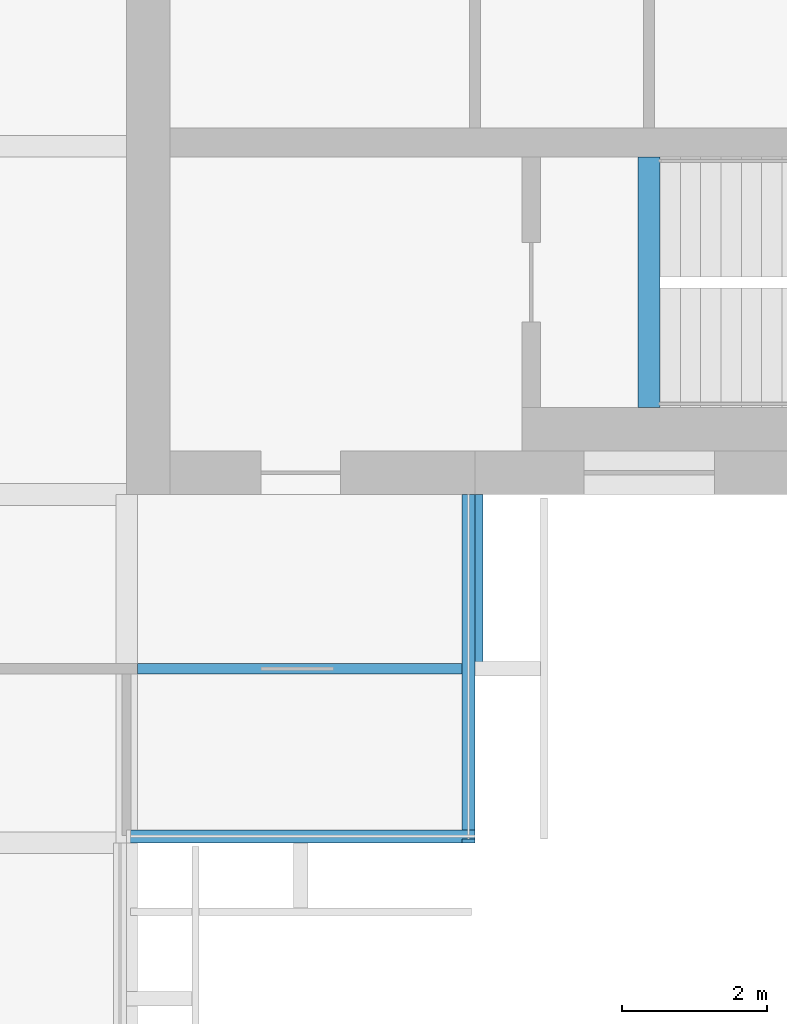
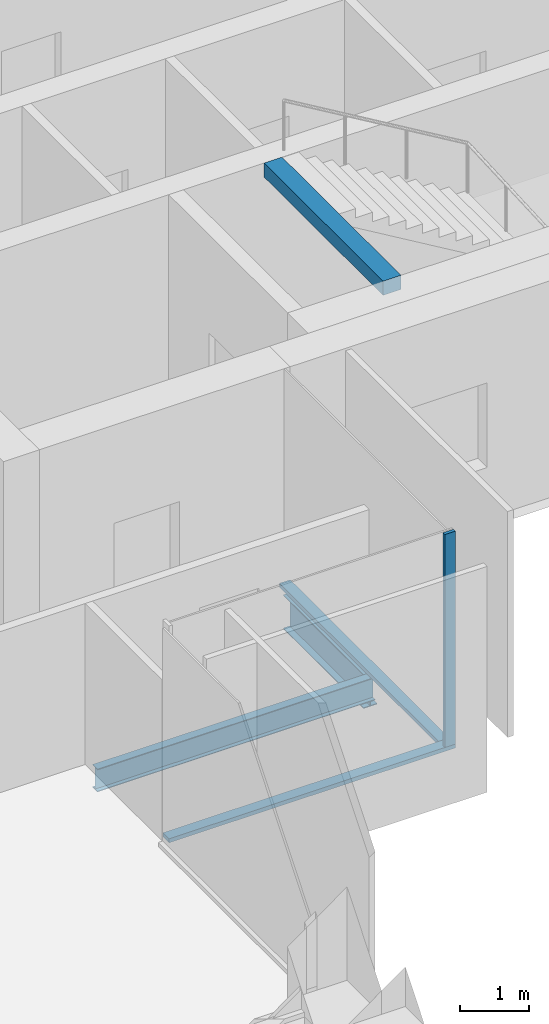
# One storey, part 4 of 13: 3 beams, 3 members, 2 elements without a shape of their own.
"""IFC4 building model written with IfcOpenShell, lengths in metres."""

from ifc_helpers import new_model, si_unit, direction, frame, origin, origin_2d, place, context, subcontext, project, spatial, rectangle, i_section, extrude, material, material_profile, profile_set, type_object, element, aggregate, save


model = new_model("IFC4")

# Units and contexts
model_context = context("Model", 3, precision=1e-05, world=origin(), true_north=direction((0.0, 1.0)))
body_context = subcontext(model_context, "Body", "Model", "MODEL_VIEW")
ifc_project = project(units=[si_unit("LENGTHUNIT", "METRE"), si_unit("AREAUNIT", "SQUARE_METRE"), si_unit("VOLUMEUNIT", "CUBIC_METRE"), si_unit("PLANEANGLEUNIT", "RADIAN"), si_unit("MASSUNIT", "GRAM", prefix="KILO")], contexts=[model_context])

# Site, building, storey
site_placement = place(None, origin())
site = spatial("IfcSite", under=ifc_project, at=site_placement, CompositionType="ELEMENT")
building_placement = place(site_placement, origin())
building = spatial("IfcBuilding", under=site, at=building_placement, Name="Baori Bourse Tower", CompositionType="ELEMENT")
storey_placement = place(building_placement, frame((0.0, 0.0, 334.300048828125)))
storey = spatial("IfcBuildingStorey", under=building, at=storey_placement, Name="L74", CompositionType="ELEMENT", Elevation=334.300048828125)

# Curtain wall, member
ifc_material_1 = material(Name="Pale anodised aluminium", Category="aluminium")
curtain_wall_type = type_object("IfcCurtainWallType", Name="CW2 Curtain wall", PredefinedType="NOTDEFINED", material=ifc_material_1)
curtain_wall_1_placement = place(storey_placement, origin())
curtain_wall_1 = element("IfcCurtainWall", 1, at=curtain_wall_1_placement, inside=storey, type_object=curtain_wall_type, Name="Curtain wall CW2 L74 14", PredefinedType="NOTDEFINED")
ifc_material_2 = material(Name="Pale anodised aluminium", Category="aluminium")
ifc_material_profile_1 = material_profile(ifc_material_2, rectangle(XDim=0.179931640625, YDim=0.054931640625, at=origin_2d()), Name="Mullion 55x180")
ifc_profile_set_1 = profile_set([ifc_material_profile_1], Name="Pale anodised aluminium")
member_type_1 = type_object("IfcMemberType", Name="CW2 Curtain wall mullion", PredefinedType="MULLION", material=ifc_profile_set_1)
member_1_placement = place(storey_placement, frame((43.110107421875, 4.827392578125, 0.070068359375), z_axis=(0.0, 0.0, 1.0), x_axis=(-1.0, 0.0, 0.0)))
member_1 = element("IfcMember", 2, at=member_1_placement, type_object=member_type_1, Name="Curtain wall CW2 mullion", PredefinedType="MULLION", context=body_context, shape_type="SweptSolid", body=[
    extrude(rectangle(XDim=0.179931640625, YDim=0.054931640625, at=origin_2d()), origin(), (0.0, 0.0, 1.0), 3.769775390625),
])

curtain_wall_2_placement = place(storey_placement, origin())
curtain_wall_2 = element("IfcCurtainWall", 3, at=curtain_wall_2_placement, inside=storey, type_object=curtain_wall_type, Name="Curtain wall CW2 L74 13", PredefinedType="NOTDEFINED")
ifc_material_3 = material(Name="Pale anodised aluminium", Category="aluminium")
ifc_material_profile_2 = material_profile(ifc_material_3, rectangle(XDim=0.179931640625, YDim=0.070068359375, at=origin_2d()), Name="Transom 70x180")
ifc_profile_set_2 = profile_set([ifc_material_profile_2], Name="Pale anodised aluminium")
member_type_2 = type_object("IfcMemberType", Name="CW2 Curtain wall transom", PredefinedType="USERDEFINED", material=ifc_profile_set_2)
member_2_placement = place(storey_placement, frame((38.39990234375, 4.889892578125, 0.034912109375), z_axis=(1.0, 0.0, 0.0), x_axis=(0.0, 1.0, 0.0)))
member_2 = element("IfcMember", 4, at=member_2_placement, type_object=member_type_2, Name="Curtain wall CW2 sill rail", ObjectType="TRANSOM", PredefinedType="USERDEFINED", context=body_context, shape_type="SweptSolid", body=[
    extrude(rectangle(XDim=0.179931640625, YDim=0.070068359375, at=origin_2d()), origin(), (0.0, 0.0, 1.0), 4.800048828125),
])
aggregate(curtain_wall_2, [member_2])

# Member
member_3_placement = place(storey_placement, frame((43.110107421875, 4.800048828125, 0.034912109375), z_axis=(0.0, 1.0, 0.0), x_axis=(-1.0, 0.0, 0.0)))
member_3 = element("IfcMember", 5, at=member_3_placement, type_object=member_type_2, Name="Curtain wall CW2 sill rail", ObjectType="TRANSOM", PredefinedType="USERDEFINED", context=body_context, shape_type="SweptSolid", body=[
    extrude(rectangle(XDim=0.179931640625, YDim=0.070068359375, at=origin_2d()), origin(), (0.0, 0.0, 1.0), 4.800048828125),
])

aggregate(curtain_wall_1, [member_3, member_1])

# Beams
ifc_material_4 = material(Name="Steel A992 Gr 50", Category="steel")
ifc_material_profile_3 = material_profile(ifc_material_4, i_section(OverallWidth=0.227783203125, OverallDepth=0.60205078125, WebThickness=0.010498046875, FlangeThickness=0.014892578125, at=origin_2d()), Name="W24x68")
ifc_profile_set_3 = profile_set([ifc_material_profile_3], Name="Steel A992 Gr 50")
beam_type_1 = type_object("IfcBeamType", Name="Core bracket W24x68", PredefinedType="BEAM", material=ifc_profile_set_3)
beam_1_placement = place(storey_placement, frame((43.199951171875, 7.270263671875, -0.4609375), z_axis=(0.0, 1.0, 0.0), x_axis=(-1.0, 0.0, 0.0)))
element("IfcBeam", 6, at=beam_1_placement, inside=storey, type_object=beam_type_1, Name="Core bracket L74", PredefinedType="BEAM", context=body_context, shape_type="SweptSolid", body=[
    extrude(i_section(OverallWidth=0.227783203125, OverallDepth=0.60205078125, WebThickness=0.010498046875, FlangeThickness=0.014892578125, at=origin_2d()), origin(), (0.0, 0.0, 1.0), 2.329833984375),
])
ifc_material_5 = material(Name="Concrete f'c 50 MPa", Category="concrete")
ifc_material_profile_4 = material_profile(ifc_material_5, rectangle(XDim=0.300048828125, YDim=0.25, at=origin_2d()), Name="RC 300x250")
ifc_profile_set_4 = profile_set([ifc_material_profile_4], Name="Concrete f'c 50 MPa")
beam_type_2 = type_object("IfcBeamType", Name="Stair nib beam RC 300x250", PredefinedType="BEAM", material=ifc_profile_set_4)
beam_2_placement = place(storey_placement, frame((45.60009765625, 10.800048828125, 3.71484375), z_axis=(0.0, 1.0, 0.0), x_axis=(-1.0, 0.0, 0.0)))
element("IfcBeam", 7, at=beam_2_placement, inside=storey, type_object=beam_type_2, Name="Stair EA nib beam L75", PredefinedType="BEAM", context=body_context, shape_type="SweptSolid", body=[
    extrude(rectangle(XDim=0.300048828125, YDim=0.25, at=origin_2d()), origin(), (0.0, 0.0, 1.0), 3.449951171875),
])
ifc_material_6 = material(Name="Steel A992 Gr 50", Category="steel")
ifc_material_profile_5 = material_profile(ifc_material_6, i_section(OverallWidth=0.140380859375, OverallDepth=0.40380859375, WebThickness=0.007080078125, FlangeThickness=0.01123046875, at=origin_2d()), Name="W16x31")
ifc_profile_set_5 = profile_set([ifc_material_profile_5], Name="Steel A992 Gr 50")
beam_type_3 = type_object("IfcBeamType", Name="Trimmer beam W16x31", PredefinedType="BEAM", material=ifc_profile_set_5)
beam_3_placement = place(storey_placement, frame((38.546142578125, 7.199951171875, -0.362060546875), z_axis=(1.0, 0.0, 0.0), x_axis=(0.0, 1.0, 0.0)))
element("IfcBeam", 8, at=beam_3_placement, inside=storey, type_object=beam_type_3, Name="Trimmer beam L74", PredefinedType="BEAM", context=body_context, shape_type="SweptSolid", body=[
    extrude(i_section(OverallWidth=0.140380859375, OverallDepth=0.40380859375, WebThickness=0.007080078125, FlangeThickness=0.01123046875, at=origin_2d()), origin(), (0.0, 0.0, 1.0), 4.65380859375),
])

save(model, "model.ifc")
